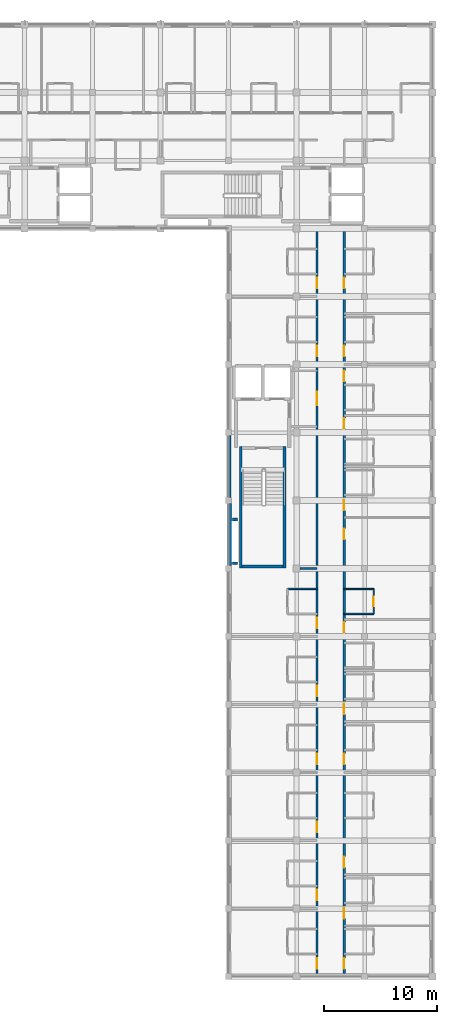
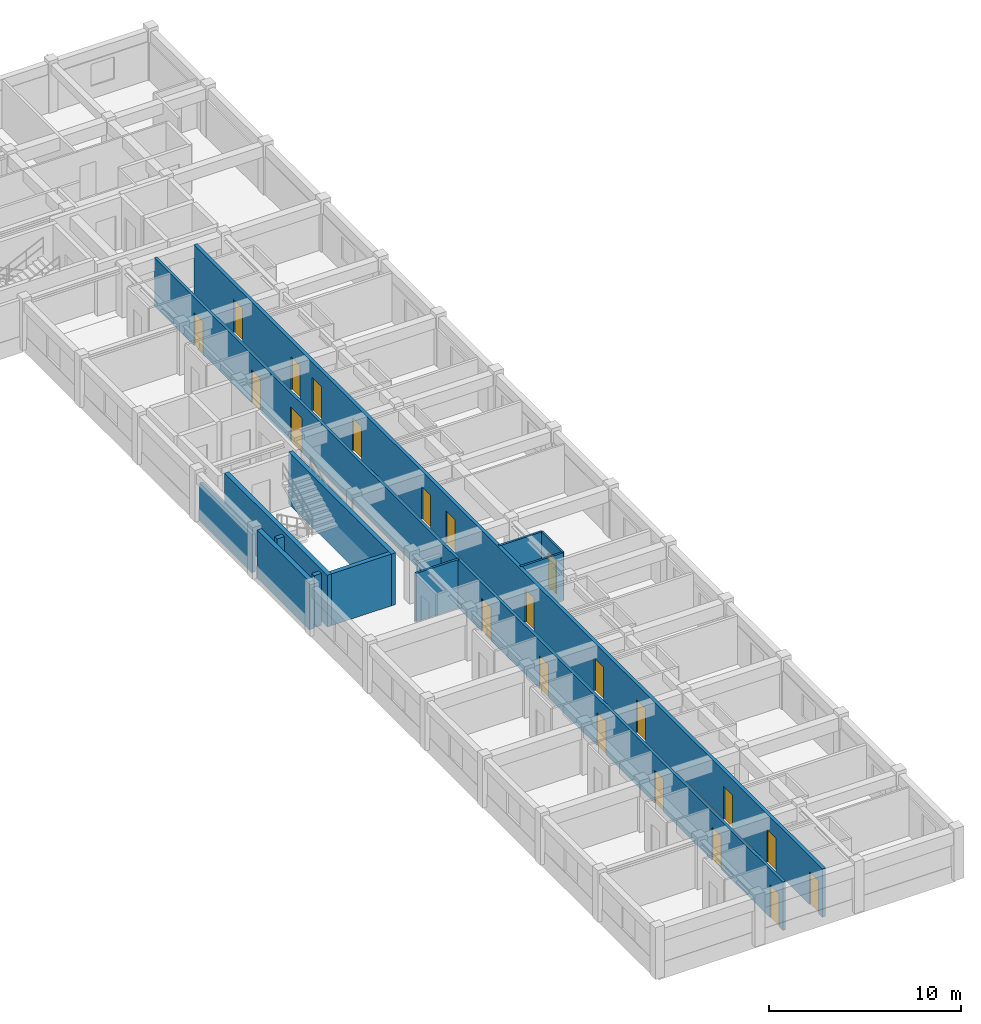
# One storey, part 6 of 22: 22 doors, 14 walls, 22 openings.
"""IFC4 building model written with IfcOpenShell, lengths in metres."""

from ifc_helpers import new_model, si_unit, direction, frame, frame_2d, origin, place, context, subcontext, project, spatial, rectangle, extrude, material, layer, layer_set, type_object, element, fill, save


model = new_model("IFC4")

# Units and contexts
model_context = context("Model", 3, precision=1e-05, world=origin(), true_north=direction((0.0, 1.0)))
body_context = subcontext(model_context, "Body", "Model", "MODEL_VIEW")
ifc_project = project(units=[si_unit("LENGTHUNIT", "METRE"), si_unit("AREAUNIT", "SQUARE_METRE"), si_unit("VOLUMEUNIT", "CUBIC_METRE"), si_unit("PLANEANGLEUNIT", "RADIAN"), si_unit("MASSUNIT", "GRAM", prefix="KILO"), si_unit("THERMODYNAMICTEMPERATUREUNIT", "KELVIN"), si_unit("POWERUNIT", "WATT")], contexts=[model_context])

# Site, building, storey
site_placement = place(None, origin())
site = spatial("IfcSite", under=ifc_project, at=site_placement, CompositionType="ELEMENT")
building_placement = place(site_placement, origin())
building = spatial("IfcBuilding", under=site, at=building_placement, Name="Phaisarnlok Congress Hotel", CompositionType="ELEMENT")
storey_placement = place(building_placement, frame((0.0, 0.0, 28.199951171875)))
storey = spatial("IfcBuildingStorey", under=building, at=storey_placement, Name="L06", CompositionType="ELEMENT", Elevation=28.199951171875)

# Walls
ifc_material_1 = material(Name="Concrete C40/50", Category="concrete")
ifc_layer_1 = layer(ifc_material_1, 0.2099609375, Name="Concrete C40/50")
ifc_layer_set_1 = layer_set([ifc_layer_1], Name="Concrete C40/50")
wall_type_1 = type_object("IfcWallType", Name="WL-EXT-210", PredefinedType="SOLIDWALL", material=ifc_layer_set_1)
wall_1_placement = place(storey_placement, frame((162.10498046875, 89.719970703125, 0.0), z_axis=(0.0, 0.0, 1.0), x_axis=(0.0, -1.0, 0.0)))
element("IfcWall", 1, at=wall_1_placement, inside=storey, type_object=wall_type_1, Name="Exterior wall EW-07 (L06)", PredefinedType="SOLIDWALL", context=body_context, shape_type="SweptSolid", body=[
    extrude(rectangle(XDim=5.43994140625, YDim=0.2099609375, at=frame_2d((2.719970703125, 0.0))), origin(), (0.0, 0.0, 1.0), 2.429931640625),
])
ifc_layer_2 = layer(ifc_material_1, 0.27001953125, Name="Concrete C40/50")
ifc_layer_set_2 = layer_set([ifc_layer_2], Name="Concrete C40/50")
wall_type_2 = type_object("IfcWallType", Name="WL-EXT-270", PredefinedType="SOLIDWALL", material=ifc_layer_set_2)
wall_2_placement = place(storey_placement, frame((162.135009765625, 83.719970703125, 0.0), z_axis=(0.0, 0.0, 1.0), x_axis=(0.0, -1.0, 0.0)))
element("IfcWall", 2, at=wall_2_placement, inside=storey, type_object=wall_type_2, Name="Exterior wall EW-04 (L06)", PredefinedType="SOLIDWALL", context=body_context, shape_type="SweptSolid", body=[
    extrude(rectangle(XDim=5.43994140625, YDim=0.27001953125, at=frame_2d((2.719970703125, 0.0))), origin(), (0.0, 0.0, 1.0), 3.080078125),
])

# Wall, opening, door
ifc_material_2 = material(Name="Lightweight Metal-Stud Gypsum Partition", Category="gypsum")
ifc_layer_3 = layer(ifc_material_2, 0.1201171875, Name="Lightweight Metal-Stud Gypsum Partition")
ifc_layer_set_3 = layer_set([ifc_layer_3], Name="Lightweight Metal-Stud Gypsum Partition")
wall_type_3 = type_object("IfcWallType", Name="WL-INT-120", PredefinedType="PARTITIONING", material=ifc_layer_set_3)
wall_3_placement = place(storey_placement, frame((174.800048828125, 74.0, 0.0), z_axis=(0.0, 0.0, 1.0), x_axis=(0.0, 1.0, 0.0)))
wall_3 = element("IfcWall", 3, at=wall_3_placement, inside=storey, type_object=wall_type_3, Name="Interior partition wall IW-07 (L06)", PredefinedType="PARTITIONING", context=body_context, shape_type="SweptSolid", body=[
    extrude(rectangle(XDim=2.199951171875, YDim=0.1201171875, at=frame_2d((1.10009765625, 0.0))), origin(), (0.0, 0.0, 1.0), 3.080078125),
])
opening_1_placement = place(wall_3_placement, frame((0.675048828125, 0.0, 0.0)))
opening_1 = element("IfcOpeningElement", 4, at=opening_1_placement, cuts=wall_3, Name="Opening D-0287", PredefinedType="OPENING", context=body_context, shape_type="SweptSolid", body=[
    extrude(rectangle(XDim=0.85009765625, YDim=2.10009765625, at=frame_2d((0.425048828125, 1.050048828125))), frame((0.0, 0.070068359375, 0.0), z_axis=(0.0, -1.0, 0.0), x_axis=(1.0, 0.0, 0.0)), (0.0, 0.0, 1.0), 0.14013671875),
])
ifc_material_3 = material(Name="Moisture-Resistant Lacquered Timber", Category="wood")
door_type_1 = type_object("IfcDoorType", Name="DR-BATH-850", OperationType="NOTDEFINED", PredefinedType="DOOR", material=ifc_material_3)
door_1_placement = place(opening_1_placement, origin())
door_1 = element("IfcDoor", 5, at=door_1_placement, inside=storey, type_object=door_type_1, Name="Interior door D-0287 (L06)", OperationType="SINGLE_SWING_RIGHT", OverallHeight=2.10009765625, OverallWidth=0.85009765625, PredefinedType="DOOR", context=body_context, shape_type="SweptSolid", body=[
    extrude(rectangle(XDim=0.85009765625, YDim=2.10009765625, at=frame_2d((0.425048828125, 1.050048828125))), frame((0.0, 0.02490234375, 0.0), z_axis=(0.0, -1.0, 0.0), x_axis=(1.0, 0.0, 0.0)), (0.0, 0.0, 1.0), 0.050048828125),
])
fill(opening_1, door_1)

# Walls
for number, where, z_axis, x_axis, name in (
    (6, (172.199951171875, 74.0, 0.0), (0.0, 0.0, 1.0), (1.0, 0.0, 0.0), "Interior partition wall IW-07 (L06)"),
    (7, (172.199951171875, 76.199951171875, 0.0), (0.0, 0.0, 1.0), (1.0, 0.0, 0.0), "Interior partition wall IW-07 (L06)"),
):
    element("IfcWall", number, at=place(storey_placement, frame(where, z_axis=z_axis, x_axis=x_axis)), inside=storey, type_object=wall_type_3, Name=name, PredefinedType="PARTITIONING", context=body_context, shape_type="SweptSolid", body=[
        extrude(rectangle(XDim=2.60009765625, YDim=0.1201171875, at=frame_2d((1.300048828125, 0.0))), origin(), (0.0, 0.0, 1.0), 3.080078125),
    ])
ifc_material_4 = material(Name="Moisture-Resistant Gypsum Partition", Category="gypsum")
ifc_layer_4 = layer(ifc_material_4, 0.135009765625, Name="Moisture-Resistant Gypsum Partition")
ifc_layer_set_4 = layer_set([ifc_layer_4], Name="Moisture-Resistant Gypsum Partition")
wall_type_4 = type_object("IfcWallType", Name="WL-INT-135", PredefinedType="PARTITIONING", material=ifc_layer_set_4)
wall_4_placement = place(storey_placement, frame((167.199951171875, 76.199951171875, 0.0), z_axis=(0.0, 0.0, 1.0), x_axis=(1.0, 0.0, 0.0)))
element("IfcWall", 8, at=wall_4_placement, inside=storey, type_object=wall_type_4, Name="Interior partition wall IW-06 (L06)", PredefinedType="PARTITIONING", context=body_context, shape_type="SweptSolid", body=[
    extrude(rectangle(XDim=2.60009765625, YDim=0.135009765625, at=frame_2d((1.300048828125, 0.0))), origin(), (0.0, 0.0, 1.0), 3.080078125),
])

# Wall, openings, doors
ifc_material_5 = material(Name="Double-Stud Acoustic Gypsum Partition", Category="gypsum")
ifc_layer_5 = layer(ifc_material_5, 0.159912109375, Name="Double-Stud Acoustic Gypsum Partition")
ifc_layer_set_5 = layer_set([ifc_layer_5], Name="Double-Stud Acoustic Gypsum Partition")
wall_type_5 = type_object("IfcWallType", Name="WL-INT-160", PredefinedType="PARTITIONING", material=ifc_layer_set_5)
wall_5_placement = place(storey_placement, frame((169.800048828125, 42.27490234375, 0.0), z_axis=(0.0, 0.0, 1.0), x_axis=(0.0, 1.0, 0.0)))
wall_5 = element("IfcWall", 9, at=wall_5_placement, inside=storey, type_object=wall_type_5, Name="Interior partition wall IW-04 (L06)", PredefinedType="PARTITIONING", context=body_context, shape_type="SweptSolid", body=[
    extrude(rectangle(XDim=65.545166015625, YDim=0.159912109375, at=frame_2d((32.7724609375, 0.0))), origin(), (0.0, 0.0, 1.0), 3.080078125),
])
opening_2_placement = place(wall_5_placement, frame((50.125, 0.0, 0.0)))
opening_2 = element("IfcOpeningElement", 10, at=opening_2_placement, cuts=wall_5, Name="Opening D-0228", PredefinedType="OPENING", context=body_context, shape_type="SweptSolid", body=[
    extrude(rectangle(XDim=1.199951171875, YDim=2.199951171875, at=frame_2d((0.60009765625, 1.10009765625))), frame((0.0, 0.08984375, 0.0), z_axis=(0.0, -1.0, 0.0), x_axis=(1.0, 0.0, 0.0)), (0.0, 0.0, 1.0), 0.179931640625),
])
opening_3_placement = place(wall_5_placement, frame((0.39990234375, 0.0, 0.0)))
opening_3 = element("IfcOpeningElement", 11, at=opening_3_placement, cuts=wall_5, Name="Opening D-0301", PredefinedType="OPENING", context=body_context, shape_type="SweptSolid", body=[
    extrude(rectangle(XDim=0.949951171875, YDim=2.10009765625, at=frame_2d((0.47509765625, 1.050048828125))), frame((0.0, 0.08984375, 0.0), z_axis=(0.0, -1.0, 0.0), x_axis=(1.0, 0.0, 0.0)), (0.0, 0.0, 1.0), 0.179931640625),
])
opening_4_placement = place(wall_5_placement, frame((6.449951171875, 0.0, 0.0)))
opening_4 = element("IfcOpeningElement", 12, at=opening_4_placement, cuts=wall_5, Name="Opening D-0303", PredefinedType="OPENING", context=body_context, shape_type="SweptSolid", body=[
    extrude(rectangle(XDim=0.949951171875, YDim=2.10009765625, at=frame_2d((0.47509765625, 1.050048828125))), frame((0.0, 0.08984375, 0.0), z_axis=(0.0, -1.0, 0.0), x_axis=(1.0, 0.0, 0.0)), (0.0, 0.0, 1.0), 0.179931640625),
])
opening_5_placement = place(wall_5_placement, frame((12.449951171875, 0.0, 0.0)))
opening_5 = element("IfcOpeningElement", 13, at=opening_5_placement, cuts=wall_5, Name="Opening D-0305", PredefinedType="OPENING", context=body_context, shape_type="SweptSolid", body=[
    extrude(rectangle(XDim=0.949951171875, YDim=2.10009765625, at=frame_2d((0.47509765625, 1.050048828125))), frame((0.0, 0.08984375, 0.0), z_axis=(0.0, -1.0, 0.0), x_axis=(1.0, 0.0, 0.0)), (0.0, 0.0, 1.0), 0.179931640625),
])
opening_6_placement = place(wall_5_placement, frame((18.449951171875, 0.0, 0.0)))
opening_6 = element("IfcOpeningElement", 14, at=opening_6_placement, cuts=wall_5, Name="Opening D-0307", PredefinedType="OPENING", context=body_context, shape_type="SweptSolid", body=[
    extrude(rectangle(XDim=0.949951171875, YDim=2.10009765625, at=frame_2d((0.47509765625, 1.050048828125))), frame((0.0, 0.08984375, 0.0), z_axis=(0.0, -1.0, 0.0), x_axis=(1.0, 0.0, 0.0)), (0.0, 0.0, 1.0), 0.179931640625),
])
opening_7_placement = place(wall_5_placement, frame((24.449951171875, 0.0, 0.0)))
opening_7 = element("IfcOpeningElement", 15, at=opening_7_placement, cuts=wall_5, Name="Opening D-0309", PredefinedType="OPENING", context=body_context, shape_type="SweptSolid", body=[
    extrude(rectangle(XDim=0.949951171875, YDim=2.10009765625, at=frame_2d((0.47509765625, 1.050048828125))), frame((0.0, 0.08984375, 0.0), z_axis=(0.0, -1.0, 0.0), x_axis=(1.0, 0.0, 0.0)), (0.0, 0.0, 1.0), 0.179931640625),
])
opening_8_placement = place(wall_5_placement, frame((30.449951171875, 0.0, 0.0)))
opening_8 = element("IfcOpeningElement", 16, at=opening_8_placement, cuts=wall_5, Name="Opening D-0311", PredefinedType="OPENING", context=body_context, shape_type="SweptSolid", body=[
    extrude(rectangle(XDim=0.949951171875, YDim=2.10009765625, at=frame_2d((0.47509765625, 1.050048828125))), frame((0.0, 0.08984375, 0.0), z_axis=(0.0, -1.0, 0.0), x_axis=(1.0, 0.0, 0.0)), (0.0, 0.0, 1.0), 0.179931640625),
])
opening_9_placement = place(wall_5_placement, frame((54.449951171875, 0.0, 0.0)))
opening_9 = element("IfcOpeningElement", 17, at=opening_9_placement, cuts=wall_5, Name="Opening D-0313", PredefinedType="OPENING", context=body_context, shape_type="SweptSolid", body=[
    extrude(rectangle(XDim=0.949951171875, YDim=2.10009765625, at=frame_2d((0.47509765625, 1.050048828125))), frame((0.0, 0.08984375, 0.0), z_axis=(0.0, -1.0, 0.0), x_axis=(1.0, 0.0, 0.0)), (0.0, 0.0, 1.0), 0.179931640625),
])
opening_10_placement = place(wall_5_placement, frame((60.449951171875, 0.0, 0.0)))
opening_10 = element("IfcOpeningElement", 18, at=opening_10_placement, cuts=wall_5, Name="Opening D-0315", PredefinedType="OPENING", context=body_context, shape_type="SweptSolid", body=[
    extrude(rectangle(XDim=0.949951171875, YDim=2.10009765625, at=frame_2d((0.47509765625, 1.050048828125))), frame((0.0, 0.08984375, 0.0), z_axis=(0.0, -1.0, 0.0), x_axis=(1.0, 0.0, 0.0)), (0.0, 0.0, 1.0), 0.179931640625),
])
ifc_material_6 = material(Name="Acoustic Solid-Core Teak Veneer", Category="wood")
door_type_2 = type_object("IfcDoorType", Name="DR-FD30-950", OperationType="NOTDEFINED", PredefinedType="DOOR", material=ifc_material_6)
door_2_placement = place(opening_3_placement, origin())
door_2 = element("IfcDoor", 19, at=door_2_placement, inside=storey, type_object=door_type_2, Name="Interior door D-0301 (L06)", OperationType="SINGLE_SWING_RIGHT", OverallHeight=2.10009765625, OverallWidth=0.949951171875, PredefinedType="DOOR", context=body_context, shape_type="SweptSolid", body=[
    extrude(rectangle(XDim=0.949951171875, YDim=2.10009765625, at=frame_2d((0.47509765625, 1.050048828125))), frame((0.0, 0.02490234375, 0.0), z_axis=(0.0, -1.0, 0.0), x_axis=(1.0, 0.0, 0.0)), (0.0, 0.0, 1.0), 0.050048828125),
])
fill(opening_3, door_2)
door_3_placement = place(opening_4_placement, origin())
door_3 = element("IfcDoor", 20, at=door_3_placement, inside=storey, type_object=door_type_2, Name="Interior door D-0303 (L06)", OperationType="SINGLE_SWING_RIGHT", OverallHeight=2.10009765625, OverallWidth=0.949951171875, PredefinedType="DOOR", context=body_context, shape_type="SweptSolid", body=[
    extrude(rectangle(XDim=0.949951171875, YDim=2.10009765625, at=frame_2d((0.47509765625, 1.050048828125))), frame((0.0, 0.02490234375, 0.0), z_axis=(0.0, -1.0, 0.0), x_axis=(1.0, 0.0, 0.0)), (0.0, 0.0, 1.0), 0.050048828125),
])
fill(opening_4, door_3)
door_4_placement = place(opening_5_placement, origin())
door_4 = element("IfcDoor", 21, at=door_4_placement, inside=storey, type_object=door_type_2, Name="Interior door D-0305 (L06)", OperationType="SINGLE_SWING_RIGHT", OverallHeight=2.10009765625, OverallWidth=0.949951171875, PredefinedType="DOOR", context=body_context, shape_type="SweptSolid", body=[
    extrude(rectangle(XDim=0.949951171875, YDim=2.10009765625, at=frame_2d((0.47509765625, 1.050048828125))), frame((0.0, 0.02490234375, 0.0), z_axis=(0.0, -1.0, 0.0), x_axis=(1.0, 0.0, 0.0)), (0.0, 0.0, 1.0), 0.050048828125),
])
fill(opening_5, door_4)
door_5_placement = place(opening_6_placement, origin())
door_5 = element("IfcDoor", 22, at=door_5_placement, inside=storey, type_object=door_type_2, Name="Interior door D-0307 (L06)", OperationType="SINGLE_SWING_RIGHT", OverallHeight=2.10009765625, OverallWidth=0.949951171875, PredefinedType="DOOR", context=body_context, shape_type="SweptSolid", body=[
    extrude(rectangle(XDim=0.949951171875, YDim=2.10009765625, at=frame_2d((0.47509765625, 1.050048828125))), frame((0.0, 0.02490234375, 0.0), z_axis=(0.0, -1.0, 0.0), x_axis=(1.0, 0.0, 0.0)), (0.0, 0.0, 1.0), 0.050048828125),
])
fill(opening_6, door_5)
door_6_placement = place(opening_7_placement, origin())
door_6 = element("IfcDoor", 23, at=door_6_placement, inside=storey, type_object=door_type_2, Name="Interior door D-0309 (L06)", OperationType="SINGLE_SWING_RIGHT", OverallHeight=2.10009765625, OverallWidth=0.949951171875, PredefinedType="DOOR", context=body_context, shape_type="SweptSolid", body=[
    extrude(rectangle(XDim=0.949951171875, YDim=2.10009765625, at=frame_2d((0.47509765625, 1.050048828125))), frame((0.0, 0.02490234375, 0.0), z_axis=(0.0, -1.0, 0.0), x_axis=(1.0, 0.0, 0.0)), (0.0, 0.0, 1.0), 0.050048828125),
])
fill(opening_7, door_6)
door_7_placement = place(opening_8_placement, origin())
door_7 = element("IfcDoor", 24, at=door_7_placement, inside=storey, type_object=door_type_2, Name="Interior door D-0311 (L06)", OperationType="SINGLE_SWING_RIGHT", OverallHeight=2.10009765625, OverallWidth=0.949951171875, PredefinedType="DOOR", context=body_context, shape_type="SweptSolid", body=[
    extrude(rectangle(XDim=0.949951171875, YDim=2.10009765625, at=frame_2d((0.47509765625, 1.050048828125))), frame((0.0, 0.02490234375, 0.0), z_axis=(0.0, -1.0, 0.0), x_axis=(1.0, 0.0, 0.0)), (0.0, 0.0, 1.0), 0.050048828125),
])
fill(opening_8, door_7)
door_8_placement = place(opening_9_placement, origin())
door_8 = element("IfcDoor", 25, at=door_8_placement, inside=storey, type_object=door_type_2, Name="Interior door D-0313 (L06)", OperationType="SINGLE_SWING_RIGHT", OverallHeight=2.10009765625, OverallWidth=0.949951171875, PredefinedType="DOOR", context=body_context, shape_type="SweptSolid", body=[
    extrude(rectangle(XDim=0.949951171875, YDim=2.10009765625, at=frame_2d((0.47509765625, 1.050048828125))), frame((0.0, 0.02490234375, 0.0), z_axis=(0.0, -1.0, 0.0), x_axis=(1.0, 0.0, 0.0)), (0.0, 0.0, 1.0), 0.050048828125),
])
fill(opening_9, door_8)
door_9_placement = place(opening_10_placement, origin())
door_9 = element("IfcDoor", 26, at=door_9_placement, inside=storey, type_object=door_type_2, Name="Interior door D-0315 (L06)", OperationType="SINGLE_SWING_RIGHT", OverallHeight=2.10009765625, OverallWidth=0.949951171875, PredefinedType="DOOR", context=body_context, shape_type="SweptSolid", body=[
    extrude(rectangle(XDim=0.949951171875, YDim=2.10009765625, at=frame_2d((0.47509765625, 1.050048828125))), frame((0.0, 0.02490234375, 0.0), z_axis=(0.0, -1.0, 0.0), x_axis=(1.0, 0.0, 0.0)), (0.0, 0.0, 1.0), 0.050048828125),
])
fill(opening_10, door_9)
ifc_material_7 = material(Name="Fire-Rated Steel Frame & Timber Leaf", Category="steel")
door_type_3 = type_object("IfcDoorType", Name="DR-FD60-1200", OperationType="NOTDEFINED", PredefinedType="DOOR", material=ifc_material_7)
door_10_placement = place(opening_2_placement, origin())
door_10 = element("IfcDoor", 27, at=door_10_placement, inside=storey, type_object=door_type_3, Name="Interior door D-0228 (L06)", OperationType="SINGLE_SWING_RIGHT", OverallHeight=2.199951171875, OverallWidth=1.199951171875, PredefinedType="DOOR", context=body_context, shape_type="SweptSolid", body=[
    extrude(rectangle(XDim=1.199951171875, YDim=2.199951171875, at=frame_2d((0.60009765625, 1.10009765625))), frame((0.0, 0.02490234375, 0.0), z_axis=(0.0, -1.0, 0.0), x_axis=(1.0, 0.0, 0.0)), (0.0, 0.0, 1.0), 0.050048828125),
])
fill(opening_2, door_10)

ifc_material_8 = material(Name="Autoclaved Aerated Concrete Block", Category="concrete")
ifc_layer_6 = layer(ifc_material_8, 0.199951171875, Name="Autoclaved Aerated Concrete Block")
ifc_layer_set_6 = layer_set([ifc_layer_6], Name="Autoclaved Aerated Concrete Block")
wall_type_6 = type_object("IfcWallType", Name="WL-INT-200", PredefinedType="PARTITIONING", material=ifc_layer_set_6)
wall_6_placement = place(storey_placement, frame((172.199951171875, 42.27490234375, 0.0), z_axis=(0.0, 0.0, 1.0), x_axis=(0.0, 1.0, 0.0)))
wall_6 = element("IfcWall", 28, at=wall_6_placement, inside=storey, type_object=wall_type_6, Name="Interior partition wall IW-02 (L06)", PredefinedType="PARTITIONING", context=body_context, shape_type="SweptSolid", body=[
    extrude(rectangle(XDim=65.545166015625, YDim=0.199951171875, at=frame_2d((32.7724609375, 0.0))), origin(), (0.0, 0.0, 1.0), 3.080078125),
])
opening_11_placement = place(wall_6_placement, frame((0.39990234375, 0.0, 0.0)))
opening_11 = element("IfcOpeningElement", 29, at=opening_11_placement, cuts=wall_6, Name="Opening D-0276", PredefinedType="OPENING", context=body_context, shape_type="SweptSolid", body=[
    extrude(rectangle(XDim=0.949951171875, YDim=2.10009765625, at=frame_2d((0.47509765625, 1.050048828125))), frame((0.0, 0.10986328125, 0.0), z_axis=(0.0, -1.0, 0.0), x_axis=(1.0, 0.0, 0.0)), (0.0, 0.0, 1.0), 0.219970703125),
])
opening_12_placement = place(wall_6_placement, frame((4.85009765625, 0.0, 0.0)))
opening_12 = element("IfcOpeningElement", 30, at=opening_12_placement, cuts=wall_6, Name="Opening D-0278", PredefinedType="OPENING", context=body_context, shape_type="SweptSolid", body=[
    extrude(rectangle(XDim=0.949951171875, YDim=2.10009765625, at=frame_2d((0.47509765625, 1.050048828125))), frame((0.0, 0.10986328125, 0.0), z_axis=(0.0, -1.0, 0.0), x_axis=(1.0, 0.0, 0.0)), (0.0, 0.0, 1.0), 0.219970703125),
])
opening_13_placement = place(wall_6_placement, frame((9.35009765625, 0.0, 0.0)))
opening_13 = element("IfcOpeningElement", 31, at=opening_13_placement, cuts=wall_6, Name="Opening D-0280", PredefinedType="OPENING", context=body_context, shape_type="SweptSolid", body=[
    extrude(rectangle(XDim=0.949951171875, YDim=2.10009765625, at=frame_2d((0.47509765625, 1.050048828125))), frame((0.0, 0.10986328125, 0.0), z_axis=(0.0, -1.0, 0.0), x_axis=(1.0, 0.0, 0.0)), (0.0, 0.0, 1.0), 0.219970703125),
])
opening_14_placement = place(wall_6_placement, frame((18.449951171875, 0.0, 0.0)))
opening_14 = element("IfcOpeningElement", 32, at=opening_14_placement, cuts=wall_6, Name="Opening D-0282", PredefinedType="OPENING", context=body_context, shape_type="SweptSolid", body=[
    extrude(rectangle(XDim=0.949951171875, YDim=2.10009765625, at=frame_2d((0.47509765625, 1.050048828125))), frame((0.0, 0.10986328125, 0.0), z_axis=(0.0, -1.0, 0.0), x_axis=(1.0, 0.0, 0.0)), (0.0, 0.0, 1.0), 0.219970703125),
])
opening_15_placement = place(wall_6_placement, frame((22.85009765625, 0.0, 0.0)))
opening_15 = element("IfcOpeningElement", 33, at=opening_15_placement, cuts=wall_6, Name="Opening D-0284", PredefinedType="OPENING", context=body_context, shape_type="SweptSolid", body=[
    extrude(rectangle(XDim=0.949951171875, YDim=2.10009765625, at=frame_2d((0.47509765625, 1.050048828125))), frame((0.0, 0.10986328125, 0.0), z_axis=(0.0, -1.0, 0.0), x_axis=(1.0, 0.0, 0.0)), (0.0, 0.0, 1.0), 0.219970703125),
])
opening_16_placement = place(wall_6_placement, frame((30.050048828125, 0.0, 0.0)))
opening_16 = element("IfcOpeningElement", 34, at=opening_16_placement, cuts=wall_6, Name="Opening D-0286", PredefinedType="OPENING", context=body_context, shape_type="SweptSolid", body=[
    extrude(rectangle(XDim=0.949951171875, YDim=2.10009765625, at=frame_2d((0.47509765625, 1.050048828125))), frame((0.0, 0.10986328125, 0.0), z_axis=(0.0, -1.0, 0.0), x_axis=(1.0, 0.0, 0.0)), (0.0, 0.0, 1.0), 0.219970703125),
])
opening_17_placement = place(wall_6_placement, frame((38.300048828125, 0.0, 0.0)))
opening_17 = element("IfcOpeningElement", 35, at=opening_17_placement, cuts=wall_6, Name="Opening D-0288", PredefinedType="OPENING", context=body_context, shape_type="SweptSolid", body=[
    extrude(rectangle(XDim=0.949951171875, YDim=2.10009765625, at=frame_2d((0.47509765625, 1.050048828125))), frame((0.0, 0.10986328125, 0.0), z_axis=(0.0, -1.0, 0.0), x_axis=(1.0, 0.0, 0.0)), (0.0, 0.0, 1.0), 0.219970703125),
])
opening_18_placement = place(wall_6_placement, frame((40.85009765625, 0.0, 0.0)))
opening_18 = element("IfcOpeningElement", 36, at=opening_18_placement, cuts=wall_6, Name="Opening D-0290", PredefinedType="OPENING", context=body_context, shape_type="SweptSolid", body=[
    extrude(rectangle(XDim=0.949951171875, YDim=2.10009765625, at=frame_2d((0.47509765625, 1.050048828125))), frame((0.0, 0.10986328125, 0.0), z_axis=(0.0, -1.0, 0.0), x_axis=(1.0, 0.0, 0.0)), (0.0, 0.0, 1.0), 0.219970703125),
])
opening_19_placement = place(wall_6_placement, frame((48.050048828125, 0.0, 0.0)))
opening_19 = element("IfcOpeningElement", 37, at=opening_19_placement, cuts=wall_6, Name="Opening D-0292", PredefinedType="OPENING", context=body_context, shape_type="SweptSolid", body=[
    extrude(rectangle(XDim=0.949951171875, YDim=2.10009765625, at=frame_2d((0.47509765625, 1.050048828125))), frame((0.0, 0.10986328125, 0.0), z_axis=(0.0, -1.0, 0.0), x_axis=(1.0, 0.0, 0.0)), (0.0, 0.0, 1.0), 0.219970703125),
])
opening_20_placement = place(wall_6_placement, frame((52.25, 0.0, 0.0)))
opening_20 = element("IfcOpeningElement", 38, at=opening_20_placement, cuts=wall_6, Name="Opening D-0294", PredefinedType="OPENING", context=body_context, shape_type="SweptSolid", body=[
    extrude(rectangle(XDim=0.949951171875, YDim=2.10009765625, at=frame_2d((0.47509765625, 1.050048828125))), frame((0.0, 0.10986328125, 0.0), z_axis=(0.0, -1.0, 0.0), x_axis=(1.0, 0.0, 0.0)), (0.0, 0.0, 1.0), 0.219970703125),
])
opening_21_placement = place(wall_6_placement, frame((54.449951171875, 0.0, 0.0)))
opening_21 = element("IfcOpeningElement", 39, at=opening_21_placement, cuts=wall_6, Name="Opening D-0296", PredefinedType="OPENING", context=body_context, shape_type="SweptSolid", body=[
    extrude(rectangle(XDim=0.949951171875, YDim=2.10009765625, at=frame_2d((0.47509765625, 1.050048828125))), frame((0.0, 0.10986328125, 0.0), z_axis=(0.0, -1.0, 0.0), x_axis=(1.0, 0.0, 0.0)), (0.0, 0.0, 1.0), 0.219970703125),
])
opening_22_placement = place(wall_6_placement, frame((60.449951171875, 0.0, 0.0)))
opening_22 = element("IfcOpeningElement", 40, at=opening_22_placement, cuts=wall_6, Name="Opening D-0298", PredefinedType="OPENING", context=body_context, shape_type="SweptSolid", body=[
    extrude(rectangle(XDim=0.949951171875, YDim=2.10009765625, at=frame_2d((0.47509765625, 1.050048828125))), frame((0.0, 0.10986328125, 0.0), z_axis=(0.0, -1.0, 0.0), x_axis=(1.0, 0.0, 0.0)), (0.0, 0.0, 1.0), 0.219970703125),
])
door_11_placement = place(opening_11_placement, origin())
door_11 = element("IfcDoor", 41, at=door_11_placement, inside=storey, type_object=door_type_2, Name="Interior door D-0276 (L06)", OperationType="SINGLE_SWING_LEFT", OverallHeight=2.10009765625, OverallWidth=0.949951171875, PredefinedType="DOOR", context=body_context, shape_type="SweptSolid", body=[
    extrude(rectangle(XDim=0.949951171875, YDim=2.10009765625, at=frame_2d((0.47509765625, 1.050048828125))), frame((0.0, 0.02490234375, 0.0), z_axis=(0.0, -1.0, 0.0), x_axis=(1.0, 0.0, 0.0)), (0.0, 0.0, 1.0), 0.050048828125),
])
fill(opening_11, door_11)
door_12_placement = place(opening_12_placement, origin())
door_12 = element("IfcDoor", 42, at=door_12_placement, inside=storey, type_object=door_type_2, Name="Interior door D-0278 (L06)", OperationType="SINGLE_SWING_LEFT", OverallHeight=2.10009765625, OverallWidth=0.949951171875, PredefinedType="DOOR", context=body_context, shape_type="SweptSolid", body=[
    extrude(rectangle(XDim=0.949951171875, YDim=2.10009765625, at=frame_2d((0.47509765625, 1.050048828125))), frame((0.0, 0.02490234375, 0.0), z_axis=(0.0, -1.0, 0.0), x_axis=(1.0, 0.0, 0.0)), (0.0, 0.0, 1.0), 0.050048828125),
])
fill(opening_12, door_12)
door_13_placement = place(opening_13_placement, origin())
door_13 = element("IfcDoor", 43, at=door_13_placement, inside=storey, type_object=door_type_2, Name="Interior door D-0280 (L06)", OperationType="SINGLE_SWING_LEFT", OverallHeight=2.10009765625, OverallWidth=0.949951171875, PredefinedType="DOOR", context=body_context, shape_type="SweptSolid", body=[
    extrude(rectangle(XDim=0.949951171875, YDim=2.10009765625, at=frame_2d((0.47509765625, 1.050048828125))), frame((0.0, 0.02490234375, 0.0), z_axis=(0.0, -1.0, 0.0), x_axis=(1.0, 0.0, 0.0)), (0.0, 0.0, 1.0), 0.050048828125),
])
fill(opening_13, door_13)
door_14_placement = place(opening_14_placement, origin())
door_14 = element("IfcDoor", 44, at=door_14_placement, inside=storey, type_object=door_type_2, Name="Interior door D-0282 (L06)", OperationType="SINGLE_SWING_LEFT", OverallHeight=2.10009765625, OverallWidth=0.949951171875, PredefinedType="DOOR", context=body_context, shape_type="SweptSolid", body=[
    extrude(rectangle(XDim=0.949951171875, YDim=2.10009765625, at=frame_2d((0.47509765625, 1.050048828125))), frame((0.0, 0.02490234375, 0.0), z_axis=(0.0, -1.0, 0.0), x_axis=(1.0, 0.0, 0.0)), (0.0, 0.0, 1.0), 0.050048828125),
])
fill(opening_14, door_14)
door_15_placement = place(opening_15_placement, origin())
door_15 = element("IfcDoor", 45, at=door_15_placement, inside=storey, type_object=door_type_2, Name="Interior door D-0284 (L06)", OperationType="SINGLE_SWING_LEFT", OverallHeight=2.10009765625, OverallWidth=0.949951171875, PredefinedType="DOOR", context=body_context, shape_type="SweptSolid", body=[
    extrude(rectangle(XDim=0.949951171875, YDim=2.10009765625, at=frame_2d((0.47509765625, 1.050048828125))), frame((0.0, 0.02490234375, 0.0), z_axis=(0.0, -1.0, 0.0), x_axis=(1.0, 0.0, 0.0)), (0.0, 0.0, 1.0), 0.050048828125),
])
fill(opening_15, door_15)
door_16_placement = place(opening_16_placement, origin())
door_16 = element("IfcDoor", 46, at=door_16_placement, inside=storey, type_object=door_type_2, Name="Interior door D-0286 (L06)", OperationType="SINGLE_SWING_LEFT", OverallHeight=2.10009765625, OverallWidth=0.949951171875, PredefinedType="DOOR", context=body_context, shape_type="SweptSolid", body=[
    extrude(rectangle(XDim=0.949951171875, YDim=2.10009765625, at=frame_2d((0.47509765625, 1.050048828125))), frame((0.0, 0.02490234375, 0.0), z_axis=(0.0, -1.0, 0.0), x_axis=(1.0, 0.0, 0.0)), (0.0, 0.0, 1.0), 0.050048828125),
])
fill(opening_16, door_16)
door_17_placement = place(opening_17_placement, origin())
door_17 = element("IfcDoor", 47, at=door_17_placement, inside=storey, type_object=door_type_2, Name="Interior door D-0288 (L06)", OperationType="SINGLE_SWING_LEFT", OverallHeight=2.10009765625, OverallWidth=0.949951171875, PredefinedType="DOOR", context=body_context, shape_type="SweptSolid", body=[
    extrude(rectangle(XDim=0.949951171875, YDim=2.10009765625, at=frame_2d((0.47509765625, 1.050048828125))), frame((0.0, 0.02490234375, 0.0), z_axis=(0.0, -1.0, 0.0), x_axis=(1.0, 0.0, 0.0)), (0.0, 0.0, 1.0), 0.050048828125),
])
fill(opening_17, door_17)
door_18_placement = place(opening_18_placement, origin())
door_18 = element("IfcDoor", 48, at=door_18_placement, inside=storey, type_object=door_type_2, Name="Interior door D-0290 (L06)", OperationType="SINGLE_SWING_LEFT", OverallHeight=2.10009765625, OverallWidth=0.949951171875, PredefinedType="DOOR", context=body_context, shape_type="SweptSolid", body=[
    extrude(rectangle(XDim=0.949951171875, YDim=2.10009765625, at=frame_2d((0.47509765625, 1.050048828125))), frame((0.0, 0.02490234375, 0.0), z_axis=(0.0, -1.0, 0.0), x_axis=(1.0, 0.0, 0.0)), (0.0, 0.0, 1.0), 0.050048828125),
])
fill(opening_18, door_18)
door_19_placement = place(opening_19_placement, origin())
door_19 = element("IfcDoor", 49, at=door_19_placement, inside=storey, type_object=door_type_2, Name="Interior door D-0292 (L06)", OperationType="SINGLE_SWING_LEFT", OverallHeight=2.10009765625, OverallWidth=0.949951171875, PredefinedType="DOOR", context=body_context, shape_type="SweptSolid", body=[
    extrude(rectangle(XDim=0.949951171875, YDim=2.10009765625, at=frame_2d((0.47509765625, 1.050048828125))), frame((0.0, 0.02490234375, 0.0), z_axis=(0.0, -1.0, 0.0), x_axis=(1.0, 0.0, 0.0)), (0.0, 0.0, 1.0), 0.050048828125),
])
fill(opening_19, door_19)
door_20_placement = place(opening_20_placement, origin())
door_20 = element("IfcDoor", 50, at=door_20_placement, inside=storey, type_object=door_type_2, Name="Interior door D-0294 (L06)", OperationType="SINGLE_SWING_LEFT", OverallHeight=2.10009765625, OverallWidth=0.949951171875, PredefinedType="DOOR", context=body_context, shape_type="SweptSolid", body=[
    extrude(rectangle(XDim=0.949951171875, YDim=2.10009765625, at=frame_2d((0.47509765625, 1.050048828125))), frame((0.0, 0.02490234375, 0.0), z_axis=(0.0, -1.0, 0.0), x_axis=(1.0, 0.0, 0.0)), (0.0, 0.0, 1.0), 0.050048828125),
])
fill(opening_20, door_20)
door_21_placement = place(opening_21_placement, origin())
door_21 = element("IfcDoor", 51, at=door_21_placement, inside=storey, type_object=door_type_2, Name="Interior door D-0296 (L06)", OperationType="SINGLE_SWING_LEFT", OverallHeight=2.10009765625, OverallWidth=0.949951171875, PredefinedType="DOOR", context=body_context, shape_type="SweptSolid", body=[
    extrude(rectangle(XDim=0.949951171875, YDim=2.10009765625, at=frame_2d((0.47509765625, 1.050048828125))), frame((0.0, 0.02490234375, 0.0), z_axis=(0.0, -1.0, 0.0), x_axis=(1.0, 0.0, 0.0)), (0.0, 0.0, 1.0), 0.050048828125),
])
fill(opening_21, door_21)
door_22_placement = place(opening_22_placement, origin())
door_22 = element("IfcDoor", 52, at=door_22_placement, inside=storey, type_object=door_type_2, Name="Interior door D-0298 (L06)", OperationType="SINGLE_SWING_LEFT", OverallHeight=2.10009765625, OverallWidth=0.949951171875, PredefinedType="DOOR", context=body_context, shape_type="SweptSolid", body=[
    extrude(rectangle(XDim=0.949951171875, YDim=2.10009765625, at=frame_2d((0.47509765625, 1.050048828125))), frame((0.0, 0.02490234375, 0.0), z_axis=(0.0, -1.0, 0.0), x_axis=(1.0, 0.0, 0.0)), (0.0, 0.0, 1.0), 0.050048828125),
])
fill(opening_22, door_22)

# Walls
wall_7_placement = place(storey_placement, frame((168.304931640625, 78.0, 0.0), z_axis=(0.0, 0.0, 1.0), x_axis=(1.0, 0.0, 0.0)))
element("IfcWall", 53, at=wall_7_placement, inside=storey, type_object=wall_type_6, Name="Interior partition wall IW-02 (L06)", PredefinedType="PARTITIONING", context=body_context, shape_type="SweptSolid", body=[
    extrude(rectangle(XDim=1.4951171875, YDim=0.199951171875, at=frame_2d((0.74755859375, 0.0))), origin(), (0.0, 0.0, 1.0), 2.280029296875),
])
ifc_material_9 = material(Name="Concrete C50/60", Category="concrete")
ifc_layer_7 = layer(ifc_material_9, 0.260009765625, Name="Concrete C50/60")
ifc_layer_set_7 = layer_set([ifc_layer_7], Name="Concrete C50/60")
wall_type_7 = type_object("IfcWallType", Name="WL-SHR-260", PredefinedType="SHEAR", material=ifc_layer_set_7)
for number, where, z_axis, x_axis, name in (
    (54, (163.070068359375, 78.0400390625, 0.0), (0.0, 0.0, 1.0), (0.0, 1.0, 0.0), "Stair shaft shear wall SW-04 (CORE-3 L06)"),
    (55, (166.929931640625, 78.0400390625, 0.0), (0.0, 0.0, 1.0), (0.0, 1.0, 0.0), "Stair shaft shear wall SW-04 (CORE-3 L06)"),
):
    element("IfcWall", number, at=place(storey_placement, frame(where, z_axis=z_axis, x_axis=x_axis)), inside=storey, type_object=wall_type_7, Name=name, PredefinedType="SHEAR", context=body_context, shape_type="SweptSolid", body=[
        extrude(rectangle(XDim=10.719970703125, YDim=0.260009765625, at=frame_2d((5.35986328125, 0.0))), origin(), (0.0, 0.0, 1.0), 3.300048828125),
    ])
wall_8_placement = place(storey_placement, frame((163.199951171875, 78.169921875, 0.0), z_axis=(0.0, 0.0, 1.0), x_axis=(1.0, 0.0, 0.0)))
element("IfcWall", 56, at=wall_8_placement, inside=storey, type_object=wall_type_7, Name="Stair shaft shear wall SW-04 (CORE-3 L06)", PredefinedType="SHEAR", context=body_context, shape_type="SweptSolid", body=[
    extrude(rectangle(XDim=3.60009765625, YDim=0.260009765625, at=frame_2d((1.800048828125, 0.0))), origin(), (0.0, 0.0, 1.0), 3.300048828125),
])
for number, where, z_axis, x_axis, name in (
    (57, (162.330078125, 78.469970703125, 0.0), (0.0, 0.0, 1.0), (1.0, 0.0, 0.0), "Service riser shaft wall SW-04 (CORE-3 L06)"),
    (58, (162.330078125, 82.330078125, 0.0), (0.0, 0.0, 1.0), (1.0, 0.0, 0.0), "Service riser shaft wall SW-04 (CORE-3 L06)"),
):
    element("IfcWall", number, at=place(storey_placement, frame(where, z_axis=z_axis, x_axis=x_axis)), inside=storey, type_object=wall_type_7, Name=name, PredefinedType="SHEAR", context=body_context, shape_type="SweptSolid", body=[
        extrude(rectangle(XDim=0.43994140625, YDim=0.260009765625, at=frame_2d((0.219970703125, 0.0))), origin(), (0.0, 0.0, 1.0), 3.300048828125),
    ])

save(model, "model.ifc")
